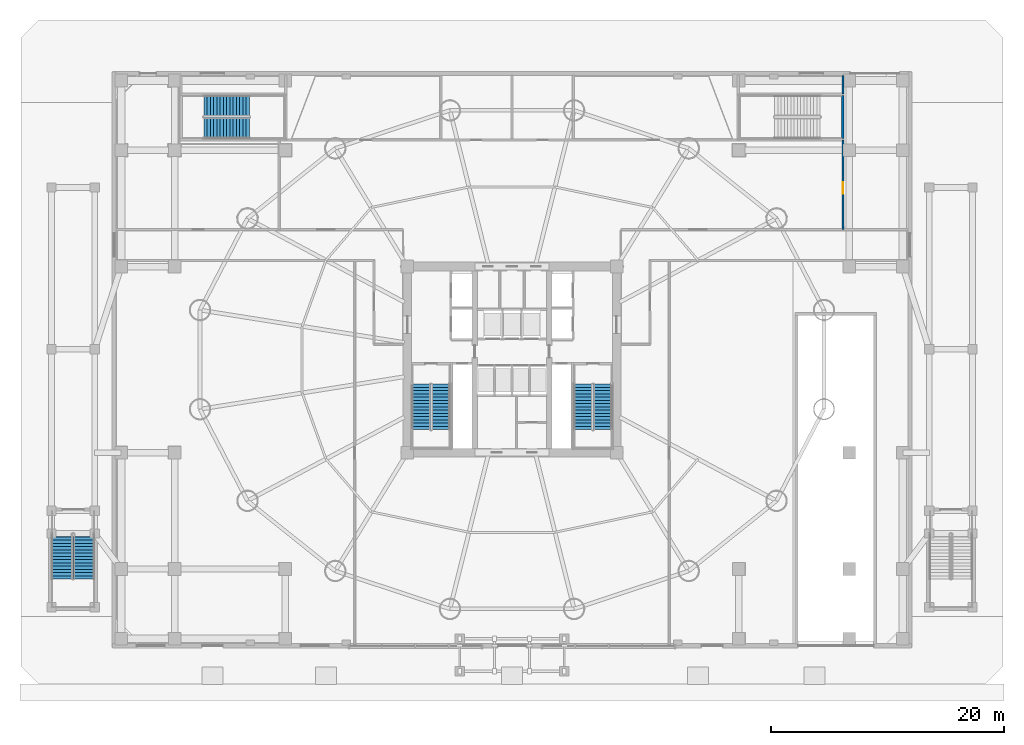
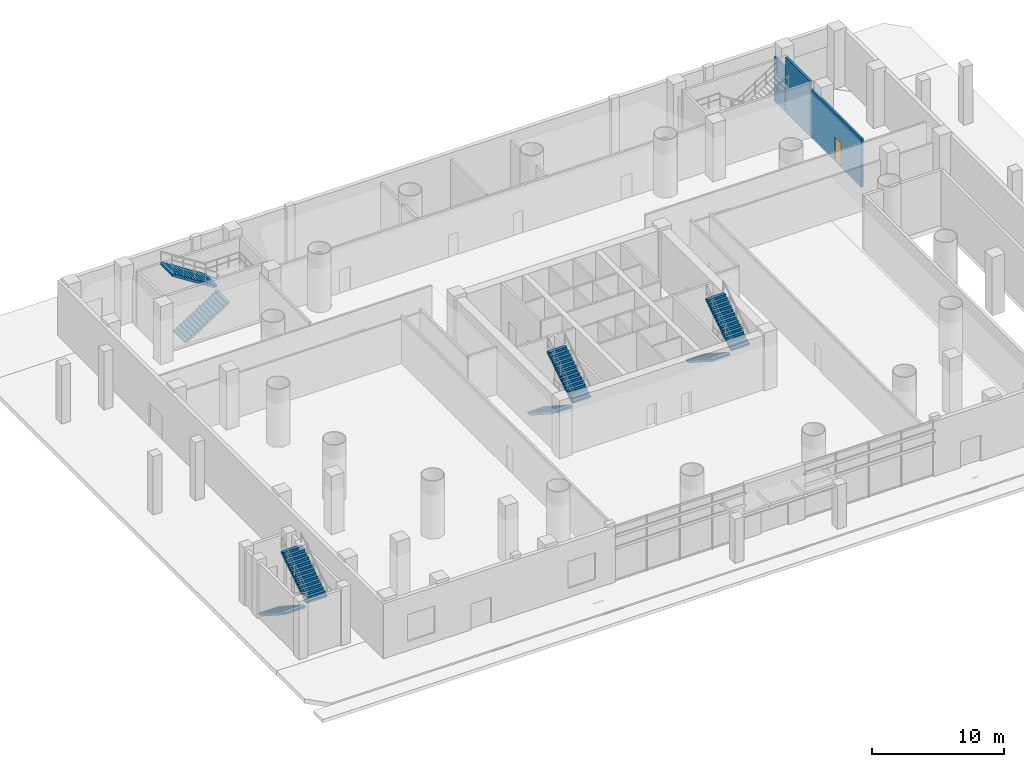
# One storey, part 13 of 25: 8 stair flights, 3 walls, 1 door, 1 opening, 4 elements without a shape of their own.
"""IFC4 building model written with IfcOpenShell, lengths in metres."""

import ifcopenshell
import ifcopenshell.guid

model = None  # the IFC model being written
_history = None  # IfcOwnerHistory: only IFC2X3 demands one
_inside = {}  # id of a spatial element -> (the spatial element, [elements in it])
_under = {}  # id of a project, library or spatial element -> (it, [spatial elements below it])
_declared = {}  # id of a project -> (the project, [libraries it declares])
_typed = {}  # id of a type object -> (the type object, [elements of that type])
_made_of = {}  # id of a material, layer set ... -> (it, [elements and type objects made of it])


def new_model(schema):
    """Start an empty IFC model of exactly this schema.

    Asked for "IFC4X3", IfcOpenShell would pick the latest addendum, in which some entities
    have other attributes; the version numbers below select the first issue.
    IFC2X3 requires an IfcOwnerHistory on every rooted entity: one is made here for all.
    """
    global model, _history
    if schema == "IFC4X3":
        model = ifcopenshell.file(schema_version=(4, 3, 0, 0))
    else:
        model = ifcopenshell.file(schema=schema)
    _inside.clear()
    _under.clear()
    _declared.clear()
    _typed.clear()
    _made_of.clear()
    _history = None
    if model.schema == "IFC2X3":
        org = make("IfcOrganization", Name="unknown")
        user = make(
            "IfcPersonAndOrganization",
            ThePerson=make("IfcPerson", FamilyName="unknown"),
            TheOrganization=org,
        )
        app = make(
            "IfcApplication",
            ApplicationDeveloper=org,
            Version="unknown",
            ApplicationFullName="unknown",
            ApplicationIdentifier="unknown",
        )
        _history = make(
            "IfcOwnerHistory",
            OwningUser=user,
            OwningApplication=app,
            ChangeAction="ADDED",
            CreationDate=0,
        )
    return model


def make(cls, **values):
    """One entity of the class cls with the attributes given. An attribute that is None is left unset."""
    return model.create_entity(
        cls, **{name: value for name, value in values.items() if value is not None}
    )


def rooted(cls, **values):
    """An entity with a GlobalId (a new one), such as an element, a storey or a relation."""
    return make(cls, GlobalId=ifcopenshell.guid.new(), OwnerHistory=_history, **values)


def si_unit(unit_type, name, prefix=None):
    """IfcSIUnit, for example si_unit("LENGTHUNIT", "METRE", prefix="MILLI")."""
    return make("IfcSIUnit", UnitType=unit_type, Prefix=prefix, Name=name)


def assignment(units):
    """IfcUnitAssignment: the units of a project."""
    return None if units is None else make("IfcUnitAssignment", Units=units)


def point(xyz):
    """IfcCartesianPoint."""
    return None if xyz is None else make("IfcCartesianPoint", Coordinates=xyz)


def direction(xyz):
    """IfcDirection."""
    return None if xyz is None else make("IfcDirection", DirectionRatios=xyz)


def frame(location, z_axis=None, x_axis=None):
    """IfcAxis2Placement3D, a coordinate frame: its origin and axes. An axis left out is left unset."""
    return make(
        "IfcAxis2Placement3D",
        Location=point(location),
        Axis=direction(z_axis),
        RefDirection=direction(x_axis),
    )


def frame_2d(location, x_axis=None):
    """IfcAxis2Placement2D, a coordinate frame in the plane: its origin and x axis."""
    return make(
        "IfcAxis2Placement2D", Location=point(location), RefDirection=direction(x_axis)
    )


def origin():
    """The frame at (0, 0, 0) with its axes left unset."""
    return frame((0.0, 0.0, 0.0))


def place(relative_to, where):
    """IfcLocalPlacement: puts the frame where relative to a parent placement (None: the world)."""
    return make(
        "IfcLocalPlacement", PlacementRelTo=relative_to, RelativePlacement=where
    )


def context(
    kind, dimensions, precision=None, world=None, true_north=None, identifier=None
):
    """IfcGeometricRepresentationContext, for example the 3D "Model" context."""
    return make(
        "IfcGeometricRepresentationContext",
        ContextIdentifier=identifier,
        ContextType=kind,
        CoordinateSpaceDimension=dimensions,
        Precision=precision,
        WorldCoordinateSystem=world,
        TrueNorth=true_north,
    )


def subcontext(parent, identifier, kind, view, scale=None):
    """IfcGeometricRepresentationSubContext, for example "Body" below "Model"."""
    return make(
        "IfcGeometricRepresentationSubContext",
        ContextIdentifier=identifier,
        ContextType=kind,
        ParentContext=parent,
        TargetScale=scale,
        TargetView=view,
    )


def project(units=None, contexts=None):
    """IfcProject with its units and contexts."""
    return rooted(
        "IfcProject",
        Name="project",
        RepresentationContexts=contexts,
        UnitsInContext=assignment(units),
    )


def spatial(cls, under=None, at=None, **own):
    """A site, building, storey or space (cls), placed at a placement, below another one or the project."""
    s = rooted(cls, ObjectPlacement=at, **own)
    if under is not None:
        _under.setdefault(under.id(), (under, []))[1].append(s)
    return s


def polyline(points):
    """IfcPolyline through the points."""
    return make("IfcPolyline", Points=[point(p) for p in points])


def profile(cls, at=None, kind="AREA", **sizes):
    """A parametric profile (cls). Its sizes go by their IFC names, for example OverallWidth=200.0."""
    return make(cls, ProfileType=kind, Position=at, **sizes)


def rectangle(**sizes):
    """IfcRectangleProfileDef."""
    return profile("IfcRectangleProfileDef", **sizes)


def outline(outer, holes=None, kind="AREA"):
    """IfcArbitraryClosedProfileDef: a profile drawn as a closed curve; with holes, ...WithVoids."""
    if holes is None:
        return make("IfcArbitraryClosedProfileDef", ProfileType=kind, OuterCurve=outer)
    return make(
        "IfcArbitraryProfileDefWithVoids",
        ProfileType=kind,
        OuterCurve=outer,
        InnerCurves=holes,
    )


def extrude(swept, where, along, depth):
    """IfcExtrudedAreaSolid: the profile swept, set in the frame where, extruded along a direction by depth."""
    return make(
        "IfcExtrudedAreaSolid",
        SweptArea=swept,
        Position=where,
        ExtrudedDirection=direction(along),
        Depth=depth,
    )


def shape(context_of_items, identifier, shape_type, items):
    """IfcShapeRepresentation: the items that make up one representation, for example the "Body"."""
    return make(
        "IfcShapeRepresentation",
        ContextOfItems=context_of_items,
        RepresentationIdentifier=identifier,
        RepresentationType=shape_type,
        Items=items,
    )


def source(mapping_origin, context_of_items, identifier, shape_type, items):
    """IfcRepresentationMap: a shape defined once, which mapped items show again and again."""
    return make(
        "IfcRepresentationMap",
        MappingOrigin=mapping_origin,
        MappedRepresentation=shape(context_of_items, identifier, shape_type, items),
    )


def transform(
    local_origin,
    x_axis=None,
    y_axis=None,
    z_axis=None,
    scale=None,
    scale2=None,
    scale3=None,
    uniform=True,
):
    """IfcCartesianTransformationOperator3D, or its non-uniform kind. x_axis, y_axis, z_axis: its Axis1, 2, 3."""
    if uniform:
        return make(
            "IfcCartesianTransformationOperator3D",
            Axis1=direction(x_axis),
            Axis2=direction(y_axis),
            LocalOrigin=point(local_origin),
            Scale=scale,
            Axis3=direction(z_axis),
        )
    return make(
        "IfcCartesianTransformationOperator3DnonUniform",
        Axis1=direction(x_axis),
        Axis2=direction(y_axis),
        LocalOrigin=point(local_origin),
        Scale=scale,
        Axis3=direction(z_axis),
        Scale2=scale2,
        Scale3=scale3,
    )


def mapped(mapping_source, mapping_target):
    """IfcMappedItem: shows the shape of a source again, moved by a transform."""
    return make(
        "IfcMappedItem", MappingSource=mapping_source, MappingTarget=mapping_target
    )


def material(Name=None, Category=None):
    """IfcMaterial."""
    return make("IfcMaterial", Name=Name, Category=Category)


def layer(
    of_material, thickness, ventilated=None, Name=None, Category=None, Priority=None
):
    """IfcMaterialLayer: one layer of a wall or slab, of a material (None: an air gap)."""
    return make(
        "IfcMaterialLayer",
        Material=of_material,
        LayerThickness=thickness,
        IsVentilated=ventilated,
        Name=Name,
        Category=Category,
        Priority=Priority,
    )


def layer_set(layers, Name=None):
    """IfcMaterialLayerSet."""
    return make("IfcMaterialLayerSet", MaterialLayers=layers, LayerSetName=Name)


def made_of(thing, what):
    """Note that an element or type object is made of a material, layer set ...; save() writes the relation."""
    if what is not None:
        _made_of.setdefault(what.id(), (what, []))[1].append(thing)
    return thing


def type_object(cls, material=None, **own):
    """A type object (cls), such as IfcWallType, which elements share."""
    return made_of(rooted(cls, **own), material)


def element(
    cls,
    number,
    at=None,
    inside=None,
    cuts=None,
    type_object=None,
    material=None,
    context=None,
    identifier="Body",
    shape_type=None,
    held_by="IfcProductDefinitionShape",
    body=None,
    shapes=None,
    **own,
):
    """One element of the class cls, such as IfcWall. Its Tag is "e" and its number.

    at: its placement. inside: the storey or other place that contains it. cuts: it is an
    opening in that element (IfcRelVoidsElement). A single representation is given by context,
    identifier, shape_type and body (its items); several are given by shapes. held_by: the class
    of the entity that holds the representations. save() writes the other relations.
    """
    e = rooted(cls, Tag="e%d" % number, ObjectPlacement=at, **own)
    if body is not None:
        shapes = [shape(context, identifier, shape_type, body)]
    if shapes is not None:
        e.Representation = make(held_by, Representations=shapes)
    if inside is not None:
        _inside.setdefault(inside.id(), (inside, []))[1].append(e)
    if cuts is not None:
        rooted(
            "IfcRelVoidsElement", RelatingBuildingElement=cuts, RelatedOpeningElement=e
        )
    if type_object is not None:
        _typed.setdefault(type_object.id(), (type_object, []))[1].append(e)
    return made_of(e, material)


def fill(opening, filler):
    """IfcRelFillsElement: the door or window that sits in an opening."""
    return rooted(
        "IfcRelFillsElement",
        RelatingOpeningElement=opening,
        RelatedBuildingElement=filler,
    )


def aggregate(whole, parts):
    """IfcRelAggregates: a whole, such as a stair, and the parts it consists of."""
    return rooted("IfcRelAggregates", RelatingObject=whole, RelatedObjects=parts)


def save(model, path):
    """Write the relations noted so far, then the file.

    IfcRelAggregates (storeys below a building ...), IfcRelContainedInSpatialStructure (elements
    in a storey), IfcRelDefinesByType, IfcRelAssociatesMaterial and IfcRelDeclares: one each for
    every whole, place, type object, material and project.
    """
    for whole, parts in _under.values():
        aggregate(whole, parts)
    for where, things in _inside.values():
        rooted(
            "IfcRelContainedInSpatialStructure",
            RelatedElements=things,
            RelatingStructure=where,
        )
    for kind, things in _typed.values():
        rooted("IfcRelDefinesByType", RelatedObjects=things, RelatingType=kind)
    for what, things in _made_of.values():
        rooted("IfcRelAssociatesMaterial", RelatedObjects=things, RelatingMaterial=what)
    for by, libraries in _declared.values():
        rooted("IfcRelDeclares", RelatingContext=by, RelatedDefinitions=libraries)
    model.write(path)


model = new_model("IFC4")

# Units and contexts
model_context = context("Model", 3, precision=1e-05, world=origin(), true_north=direction((-0.2419218956, 0.970295726276)))
body_context = subcontext(model_context, "Body", "Model", "MODEL_VIEW")
ifc_project = project(units=[si_unit("LENGTHUNIT", "METRE"), si_unit("AREAUNIT", "SQUARE_METRE"), si_unit("VOLUMEUNIT", "CUBIC_METRE"), si_unit("PLANEANGLEUNIT", "RADIAN"), si_unit("MASSUNIT", "GRAM", prefix="KILO")], contexts=[model_context])

# Site, building, storey
site_placement = place(None, origin())
site = spatial("IfcSite", under=ifc_project, at=site_placement, CompositionType="ELEMENT")
building_placement = place(site_placement, origin())
building = spatial("IfcBuilding", under=site, at=building_placement, Name="Cobrevalo Terracotta Tower", CompositionType="ELEMENT")
storey_placement = place(building_placement, origin())
storey = spatial("IfcBuildingStorey", under=building, at=storey_placement, Name="L00", CompositionType="ELEMENT", Elevation=0.0)

# Wall
ifc_material_1 = material(Name="Gypsum board on steel stud", Category="steel")
ifc_layer_1 = layer(ifc_material_1, 0.179931640625)
ifc_layer_set_1 = layer_set([ifc_layer_1], Name="Gypsum board on steel stud")
wall_type_1 = type_object("IfcWallType", Name="Fire-rated shaft & lobby acoustic partition wall 180 mm", PredefinedType="PARTITIONING", material=ifc_layer_set_1)
wall_1_placement = place(storey_placement, frame((66.449951171875, 49.6201171875, 0.0), z_axis=(0.0, 0.0, 1.0), x_axis=(0.0, 1.0, 0.0)))
element("IfcWall", 1, at=wall_1_placement, inside=storey, type_object=wall_type_1, Name="L00 interior partition IW-L00-EXPNE-E", PredefinedType="PARTITIONING", context=body_context, shape_type="SweptSolid", body=[
    extrude(rectangle(XDim=1.619873046875, YDim=0.179931640625, at=frame_2d((0.81005859375, 0.0))), origin(), (0.0, 0.0, 1.0), 4.135009765625),
])

# Wall, opening, door
wall_2_placement = place(storey_placement, frame((66.449951171875, 37.97998046875, 0.0), z_axis=(0.0, 0.0, 1.0), x_axis=(0.0, 1.0, 0.0)))
wall_2 = element("IfcWall", 2, at=wall_2_placement, inside=storey, type_object=wall_type_1, Name="L00 interior partition IW-L00-LD-W", PredefinedType="PARTITIONING", context=body_context, shape_type="SweptSolid", body=[
    extrude(rectangle(XDim=7.719970703125, YDim=0.179931640625, at=frame_2d((3.85986328125, 0.0))), origin(), (0.0, 0.0, 1.0), 4.468994140625),
])
opening_placement = place(wall_2_placement, frame((3.072509765625, 0.0, 0.0)))
opening = element("IfcOpeningElement", 3, at=opening_placement, cuts=wall_2, Name="Opening ID-05", PredefinedType="OPENING", context=body_context, shape_type="SweptSolid", body=[
    extrude(rectangle(XDim=0.97998046875, YDim=2.199951171875, at=frame_2d((0.489990234375, 1.10009765625))), frame((0.0, 0.10009765625, 0.0), z_axis=(0.0, -1.0, 0.0), x_axis=(1.0, 0.0, 0.0)), (0.0, 0.0, 1.0), 0.199951171875),
])
ifc_material_2 = material(Name="Solid hardwood timber", Category="wood")
door_type = type_object("IfcDoorType", Name="Residence entrance fire-rated acoustic timber door 980x2200 EI 60", OperationType="NOTDEFINED", PredefinedType="DOOR", material=ifc_material_2)
shared_shape = source(origin(), body_context, "Body", "SweptSolid", [
    extrude(rectangle(XDim=0.97998046875, YDim=2.199951171875, at=frame_2d((0.489990234375, 1.10009765625))), frame((0.0, 0.02490234375, 0.0), z_axis=(0.0, -1.0, 0.0), x_axis=(1.0, 0.0, 0.0)), (0.0, 0.0, 1.0), 0.050048828125),
])
door_placement = place(opening_placement, frame((0.97998046875, 0.0, 0.0), z_axis=(0.0, 0.0, 1.0), x_axis=(-1.0, 0.0, 0.0)))
door = element("IfcDoor", 4, at=door_placement, inside=storey, type_object=door_type, Name="Enclosed Service and Loading Dock door", OperationType="SINGLE_SWING_RIGHT", OverallHeight=2.199951171875, OverallWidth=0.97998046875, PredefinedType="DOOR", context=body_context, shape_type="MappedRepresentation", body=[
    mapped(shared_shape, transform((0.0, 0.0, 0.0), scale=1.0)),
])
fill(opening, door)

# Wall
ifc_material_3 = material(Name="Concrete C50", Category="concrete")
ifc_layer_2 = layer(ifc_material_3, 0.199951171875)
ifc_layer_set_2 = layer_set([ifc_layer_2], Name="Concrete C50")
wall_type_2 = type_object("IfcWallType", Name="Structural core & podium stair-shaft RC wall 200 mm Concrete C50", PredefinedType="SOLIDWALL", material=ifc_layer_set_2)
wall_3_placement = place(storey_placement, frame((66.449951171875, 45.800048828125, 0.0), z_axis=(0.0, 0.0, 1.0), x_axis=(0.0, 1.0, 0.0)))
element("IfcWall", 5, at=wall_3_placement, inside=storey, type_object=wall_type_2, Name="L00 STP2 east structural shaft wall", PredefinedType="SOLIDWALL", context=body_context, shape_type="SweptSolid", body=[
    extrude(rectangle(XDim=3.719970703125, YDim=0.199951171875, at=frame_2d((1.85986328125, 0.0))), origin(), (0.0, 0.0, 1.0), 5.10009765625),
])

# Stair, stair flights
stair_type_1 = type_object("IfcStairType", Name="Core protected escape dogleg stair 1600", PredefinedType="HALF_TURN_STAIR", material=ifc_material_3)
stair_1_placement = place(storey_placement, origin())
stair_1 = element("IfcStair", 6, at=stair_1_placement, inside=storey, type_object=stair_type_1, Name="L00 Protected exit stair ST-1", PredefinedType="HALF_TURN_STAIR")
stair_flight_type_1 = type_object("IfcStairFlightType", Name="Core protected escape dogleg stair 1600 flight", PredefinedType="STRAIGHT", material=ifc_material_3)
stair_flight_1_placement = place(storey_placement, frame((30.175048828125, 24.699951171875, 0.0), z_axis=(0.0, 0.0, 1.0), x_axis=(0.0, -1.0, 0.0)))
stair_flight_1 = element("IfcStairFlight", 7, at=stair_flight_1_placement, type_object=stair_flight_type_1, Name="ST-1 flight 1", NumberOfRisers=15, NumberOfTreads=14, PredefinedType="STRAIGHT", RiserHeight=0.18, TreadLength=0.28, context=body_context, shape_type="SweptSolid", body=[
    extrude(outline(polyline([(0.0, 0.0), (0.0, 0.179931640625), (0.280029296875, 0.179931640625), (0.280029296875, 0.360107421875), (0.56005859375, 0.360107421875), (0.56005859375, 0.5400390625), (0.840087890625, 0.5400390625), (0.840087890625, 0.719970703125), (1.1201171875, 0.719970703125), (1.1201171875, 0.89990234375), (1.39990234375, 0.89990234375), (1.39990234375, 1.080078125), (1.679931640625, 1.080078125), (1.679931640625, 1.260009765625), (1.9599609375, 1.260009765625), (1.9599609375, 1.43994140625), (2.239990234375, 1.43994140625), (2.239990234375, 1.6201171875), (2.52001953125, 1.6201171875), (2.52001953125, 1.800048828125), (2.800048828125, 1.800048828125), (2.800048828125, 1.97998046875), (3.080078125, 1.97998046875), (3.080078125, 2.159912109375), (3.360107421875, 2.159912109375), (3.360107421875, 2.340087890625), (3.639892578125, 2.340087890625), (3.639892578125, 2.52001953125), (3.919921875, 2.52001953125), (3.919921875, 2.699951171875), (3.919921875, 2.329833984375), (0.295654296875, 0.0), (0.0, 0.0)])), frame((0.0, 0.800048828125, 0.0), z_axis=(0.0, -1.0, 0.0), x_axis=(1.0, 0.0, 0.0)), (0.0, 0.0, 1.0), 1.60009765625),
])
stair_flight_2_placement = place(storey_placement, frame((31.89501953125, 20.780029296875, 2.699951171875), z_axis=(0.0, 0.0, 1.0), x_axis=(0.0, 1.0, 0.0)))
stair_flight_2 = element("IfcStairFlight", 8, at=stair_flight_2_placement, type_object=stair_flight_type_1, Name="ST-1 flight 2", NumberOfRisers=15, NumberOfTreads=14, PredefinedType="STRAIGHT", RiserHeight=0.18, TreadLength=0.28, context=body_context, shape_type="SweptSolid", body=[
    extrude(outline(polyline([(0.0, 0.0), (0.0, 0.179931640625), (0.280029296875, 0.179931640625), (0.280029296875, 0.360107421875), (0.56005859375, 0.360107421875), (0.56005859375, 0.5400390625), (0.840087890625, 0.5400390625), (0.840087890625, 0.719970703125), (1.1201171875, 0.719970703125), (1.1201171875, 0.89990234375), (1.39990234375, 0.89990234375), (1.39990234375, 1.080078125), (1.679931640625, 1.080078125), (1.679931640625, 1.260009765625), (1.9599609375, 1.260009765625), (1.9599609375, 1.43994140625), (2.239990234375, 1.43994140625), (2.239990234375, 1.6201171875), (2.52001953125, 1.6201171875), (2.52001953125, 1.800048828125), (2.800048828125, 1.800048828125), (2.800048828125, 1.97998046875), (3.080078125, 1.97998046875), (3.080078125, 2.159912109375), (3.360107421875, 2.159912109375), (3.360107421875, 2.340087890625), (3.639892578125, 2.340087890625), (3.639892578125, 2.52001953125), (3.919921875, 2.52001953125), (3.919921875, 2.699951171875), (3.919921875, 2.329833984375), (0.295654296875, 0.0), (0.0, 0.0)])), frame((0.0, 0.800048828125, 0.0), z_axis=(0.0, -1.0, 0.0), x_axis=(1.0, 0.0, 0.0)), (0.0, 0.0, 1.0), 1.60009765625),
])
aggregate(stair_1, [stair_flight_1, stair_flight_2])

stair_2_placement = place(storey_placement, origin())
stair_2 = element("IfcStair", 9, at=stair_2_placement, inside=storey, type_object=stair_type_1, Name="L00 Protected exit stair ST-2", PredefinedType="HALF_TURN_STAIR")
stair_flight_3_placement = place(storey_placement, frame((44.10498046875, 24.699951171875, 0.0), z_axis=(0.0, 0.0, 1.0), x_axis=(0.0, -1.0, 0.0)))
stair_flight_3 = element("IfcStairFlight", 10, at=stair_flight_3_placement, type_object=stair_flight_type_1, Name="ST-2 flight 1", NumberOfRisers=15, NumberOfTreads=14, PredefinedType="STRAIGHT", RiserHeight=0.18, TreadLength=0.28, context=body_context, shape_type="SweptSolid", body=[
    extrude(outline(polyline([(0.0, 0.0), (0.0, 0.179931640625), (0.280029296875, 0.179931640625), (0.280029296875, 0.360107421875), (0.56005859375, 0.360107421875), (0.56005859375, 0.5400390625), (0.840087890625, 0.5400390625), (0.840087890625, 0.719970703125), (1.1201171875, 0.719970703125), (1.1201171875, 0.89990234375), (1.39990234375, 0.89990234375), (1.39990234375, 1.080078125), (1.679931640625, 1.080078125), (1.679931640625, 1.260009765625), (1.9599609375, 1.260009765625), (1.9599609375, 1.43994140625), (2.239990234375, 1.43994140625), (2.239990234375, 1.6201171875), (2.52001953125, 1.6201171875), (2.52001953125, 1.800048828125), (2.800048828125, 1.800048828125), (2.800048828125, 1.97998046875), (3.080078125, 1.97998046875), (3.080078125, 2.159912109375), (3.360107421875, 2.159912109375), (3.360107421875, 2.340087890625), (3.639892578125, 2.340087890625), (3.639892578125, 2.52001953125), (3.919921875, 2.52001953125), (3.919921875, 2.699951171875), (3.919921875, 2.329833984375), (0.295654296875, 0.0), (0.0, 0.0)])), frame((0.0, 0.800048828125, 0.0), z_axis=(0.0, -1.0, 0.0), x_axis=(1.0, 0.0, 0.0)), (0.0, 0.0, 1.0), 1.60009765625),
])
stair_flight_4_placement = place(storey_placement, frame((45.824951171875, 20.780029296875, 2.699951171875), z_axis=(0.0, 0.0, 1.0), x_axis=(0.0, 1.0, 0.0)))
stair_flight_4 = element("IfcStairFlight", 11, at=stair_flight_4_placement, type_object=stair_flight_type_1, Name="ST-2 flight 2", NumberOfRisers=15, NumberOfTreads=14, PredefinedType="STRAIGHT", RiserHeight=0.18, TreadLength=0.28, context=body_context, shape_type="SweptSolid", body=[
    extrude(outline(polyline([(0.0, 0.0), (0.0, 0.179931640625), (0.280029296875, 0.179931640625), (0.280029296875, 0.360107421875), (0.56005859375, 0.360107421875), (0.56005859375, 0.5400390625), (0.840087890625, 0.5400390625), (0.840087890625, 0.719970703125), (1.1201171875, 0.719970703125), (1.1201171875, 0.89990234375), (1.39990234375, 0.89990234375), (1.39990234375, 1.080078125), (1.679931640625, 1.080078125), (1.679931640625, 1.260009765625), (1.9599609375, 1.260009765625), (1.9599609375, 1.43994140625), (2.239990234375, 1.43994140625), (2.239990234375, 1.6201171875), (2.52001953125, 1.6201171875), (2.52001953125, 1.800048828125), (2.800048828125, 1.800048828125), (2.800048828125, 1.97998046875), (3.080078125, 1.97998046875), (3.080078125, 2.159912109375), (3.360107421875, 2.159912109375), (3.360107421875, 2.340087890625), (3.639892578125, 2.340087890625), (3.639892578125, 2.52001953125), (3.919921875, 2.52001953125), (3.919921875, 2.699951171875), (3.919921875, 2.329833984375), (0.295654296875, 0.0), (0.0, 0.0)])), frame((0.0, 0.800048828125, 0.0), z_axis=(0.0, -1.0, 0.0), x_axis=(1.0, 0.0, 0.0)), (0.0, 0.0, 1.0), 1.60009765625),
])
aggregate(stair_2, [stair_flight_3, stair_flight_4])

ifc_material_4 = material(Name="Precast concrete C45", Category="concrete")
stair_type_2 = type_object("IfcStairType", Name="Monumental raised-garden dogleg stair 1850", PredefinedType="HALF_TURN_STAIR", material=ifc_material_4)
stair_3_placement = place(storey_placement, origin())
stair_3 = element("IfcStair", 12, at=stair_3_placement, inside=storey, type_object=stair_type_2, Name="L00 West monumental raised-garden stair", PredefinedType="HALF_TURN_STAIR")
stair_flight_type_2 = type_object("IfcStairFlightType", Name="Monumental raised-garden dogleg stair 1850 flight", PredefinedType="STRAIGHT", material=ifc_material_4)
stair_flight_5_placement = place(storey_placement, frame((-0.699951171875, 11.85009765625, 0.0), z_axis=(0.0, 0.0, 1.0), x_axis=(0.0, -1.0, 0.0)))
stair_flight_5 = element("IfcStairFlight", 13, at=stair_flight_5_placement, type_object=stair_flight_type_2, Name="ST-EXT-W flight 1", NumberOfRisers=15, NumberOfTreads=14, PredefinedType="STRAIGHT", RiserHeight=0.18, TreadLength=0.28, context=body_context, shape_type="SweptSolid", body=[
    extrude(outline(polyline([(0.0, 0.0), (0.0, 0.179931640625), (0.280029296875, 0.179931640625), (0.280029296875, 0.360107421875), (0.56005859375, 0.360107421875), (0.56005859375, 0.5400390625), (0.840087890625, 0.5400390625), (0.840087890625, 0.719970703125), (1.1201171875, 0.719970703125), (1.1201171875, 0.89990234375), (1.39990234375, 0.89990234375), (1.39990234375, 1.080078125), (1.679931640625, 1.080078125), (1.679931640625, 1.260009765625), (1.9599609375, 1.260009765625), (1.9599609375, 1.43994140625), (2.239990234375, 1.43994140625), (2.239990234375, 1.6201171875), (2.52001953125, 1.6201171875), (2.52001953125, 1.800048828125), (2.800048828125, 1.800048828125), (2.800048828125, 1.97998046875), (3.080078125, 1.97998046875), (3.080078125, 2.159912109375), (3.360107421875, 2.159912109375), (3.360107421875, 2.340087890625), (3.639892578125, 2.340087890625), (3.639892578125, 2.52001953125), (3.919921875, 2.52001953125), (3.919921875, 2.699951171875), (3.919921875, 2.329833984375), (0.295654296875, 0.0), (0.0, 0.0)])), frame((0.0, 0.89990234375, 0.0), z_axis=(0.0, -1.0, 0.0), x_axis=(1.0, 0.0, 0.0)), (0.0, 0.0, 1.0), 1.800048828125),
])
stair_flight_6_placement = place(storey_placement, frame((1.219970703125, 7.929931640625, 2.699951171875), z_axis=(0.0, 0.0, 1.0), x_axis=(0.0, 1.0, 0.0)))
stair_flight_6 = element("IfcStairFlight", 14, at=stair_flight_6_placement, type_object=stair_flight_type_2, Name="ST-EXT-W flight 2", NumberOfRisers=15, NumberOfTreads=14, PredefinedType="STRAIGHT", RiserHeight=0.18, TreadLength=0.28, context=body_context, shape_type="SweptSolid", body=[
    extrude(outline(polyline([(0.0, 0.0), (0.0, 0.179931640625), (0.280029296875, 0.179931640625), (0.280029296875, 0.360107421875), (0.56005859375, 0.360107421875), (0.56005859375, 0.5400390625), (0.840087890625, 0.5400390625), (0.840087890625, 0.719970703125), (1.1201171875, 0.719970703125), (1.1201171875, 0.89990234375), (1.39990234375, 0.89990234375), (1.39990234375, 1.080078125), (1.679931640625, 1.080078125), (1.679931640625, 1.260009765625), (1.9599609375, 1.260009765625), (1.9599609375, 1.43994140625), (2.239990234375, 1.43994140625), (2.239990234375, 1.6201171875), (2.52001953125, 1.6201171875), (2.52001953125, 1.800048828125), (2.800048828125, 1.800048828125), (2.800048828125, 1.97998046875), (3.080078125, 1.97998046875), (3.080078125, 2.159912109375), (3.360107421875, 2.159912109375), (3.360107421875, 2.340087890625), (3.639892578125, 2.340087890625), (3.639892578125, 2.52001953125), (3.919921875, 2.52001953125), (3.919921875, 2.699951171875), (3.919921875, 2.329833984375), (0.295654296875, 0.0), (0.0, 0.0)])), frame((0.0, 0.89990234375, 0.0), z_axis=(0.0, -1.0, 0.0), x_axis=(1.0, 0.0, 0.0)), (0.0, 0.0, 1.0), 1.800048828125),
])
aggregate(stair_3, [stair_flight_5, stair_flight_6])

stair_type_3 = type_object("IfcStairType", Name="Podium concourse escape dogleg stair 1800", PredefinedType="HALF_TURN_STAIR", material=ifc_material_3)
stair_4_placement = place(storey_placement, origin())
stair_4 = element("IfcStair", 15, at=stair_4_placement, inside=storey, type_object=stair_type_3, Name="L00 Protected exit stair ST-P1", PredefinedType="HALF_TURN_STAIR")
stair_flight_type_3 = type_object("IfcStairFlightType", Name="Podium concourse escape dogleg stair 1800 flight", PredefinedType="STRAIGHT", material=ifc_material_3)
stair_flight_7_placement = place(storey_placement, frame((11.5, 46.699951171875, 0.0), z_axis=(0.0, 0.0, 1.0), x_axis=(1.0, 0.0, 0.0)))
stair_flight_7 = element("IfcStairFlight", 16, at=stair_flight_7_placement, type_object=stair_flight_type_3, Name="ST-P1 flight 1", NumberOfRisers=15, NumberOfTreads=14, PredefinedType="STRAIGHT", RiserHeight=0.18, TreadLength=0.28, context=body_context, shape_type="SweptSolid", body=[
    extrude(outline(polyline([(0.0, 0.0), (0.0, 0.179931640625), (0.280029296875, 0.179931640625), (0.280029296875, 0.360107421875), (0.56005859375, 0.360107421875), (0.56005859375, 0.5400390625), (0.840087890625, 0.5400390625), (0.840087890625, 0.719970703125), (1.1201171875, 0.719970703125), (1.1201171875, 0.89990234375), (1.39990234375, 0.89990234375), (1.39990234375, 1.080078125), (1.679931640625, 1.080078125), (1.679931640625, 1.260009765625), (1.9599609375, 1.260009765625), (1.9599609375, 1.43994140625), (2.239990234375, 1.43994140625), (2.239990234375, 1.6201171875), (2.52001953125, 1.6201171875), (2.52001953125, 1.800048828125), (2.800048828125, 1.800048828125), (2.800048828125, 1.97998046875), (3.080078125, 1.97998046875), (3.080078125, 2.159912109375), (3.360107421875, 2.159912109375), (3.360107421875, 2.340087890625), (3.639892578125, 2.340087890625), (3.639892578125, 2.52001953125), (3.919921875, 2.52001953125), (3.919921875, 2.699951171875), (3.919921875, 2.329833984375), (0.295654296875, 0.0), (0.0, 0.0)])), frame((0.0, 0.89990234375, 0.0), z_axis=(0.0, -1.0, 0.0), x_axis=(1.0, 0.0, 0.0)), (0.0, 0.0, 1.0), 1.800048828125),
])
stair_flight_8_placement = place(storey_placement, frame((15.419921875, 48.6201171875, 2.699951171875), z_axis=(0.0, 0.0, 1.0), x_axis=(-1.0, 0.0, 0.0)))
stair_flight_8 = element("IfcStairFlight", 17, at=stair_flight_8_placement, type_object=stair_flight_type_3, Name="ST-P1 flight 2", NumberOfRisers=15, NumberOfTreads=14, PredefinedType="STRAIGHT", RiserHeight=0.18, TreadLength=0.28, context=body_context, shape_type="SweptSolid", body=[
    extrude(outline(polyline([(0.0, 0.0), (0.0, 0.179931640625), (0.280029296875, 0.179931640625), (0.280029296875, 0.360107421875), (0.56005859375, 0.360107421875), (0.56005859375, 0.5400390625), (0.840087890625, 0.5400390625), (0.840087890625, 0.719970703125), (1.1201171875, 0.719970703125), (1.1201171875, 0.89990234375), (1.39990234375, 0.89990234375), (1.39990234375, 1.080078125), (1.679931640625, 1.080078125), (1.679931640625, 1.260009765625), (1.9599609375, 1.260009765625), (1.9599609375, 1.43994140625), (2.239990234375, 1.43994140625), (2.239990234375, 1.6201171875), (2.52001953125, 1.6201171875), (2.52001953125, 1.800048828125), (2.800048828125, 1.800048828125), (2.800048828125, 1.97998046875), (3.080078125, 1.97998046875), (3.080078125, 2.159912109375), (3.360107421875, 2.159912109375), (3.360107421875, 2.340087890625), (3.639892578125, 2.340087890625), (3.639892578125, 2.52001953125), (3.919921875, 2.52001953125), (3.919921875, 2.699951171875), (3.919921875, 2.329833984375), (0.295654296875, 0.0), (0.0, 0.0)])), frame((0.0, 0.89990234375, 0.0), z_axis=(0.0, -1.0, 0.0), x_axis=(1.0, 0.0, 0.0)), (0.0, 0.0, 1.0), 1.800048828125),
])
aggregate(stair_4, [stair_flight_7, stair_flight_8])

save(model, "model.ifc")
